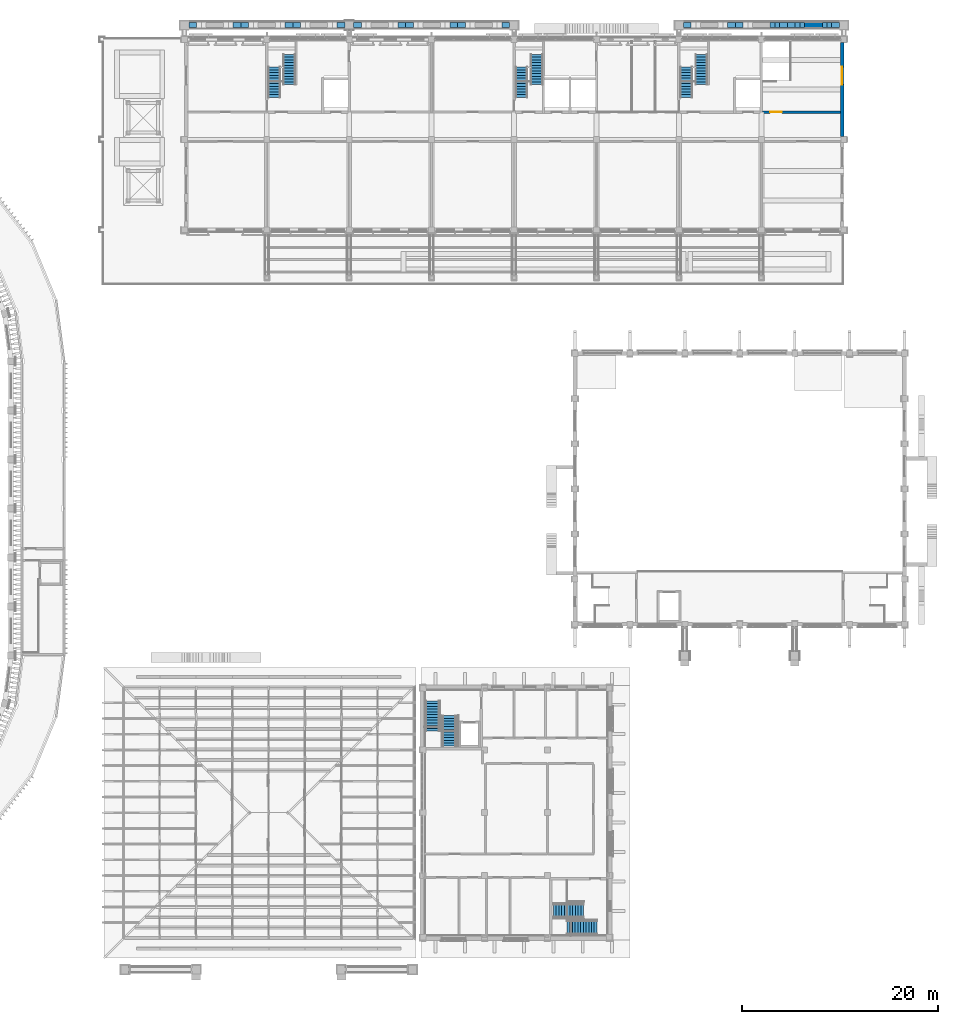
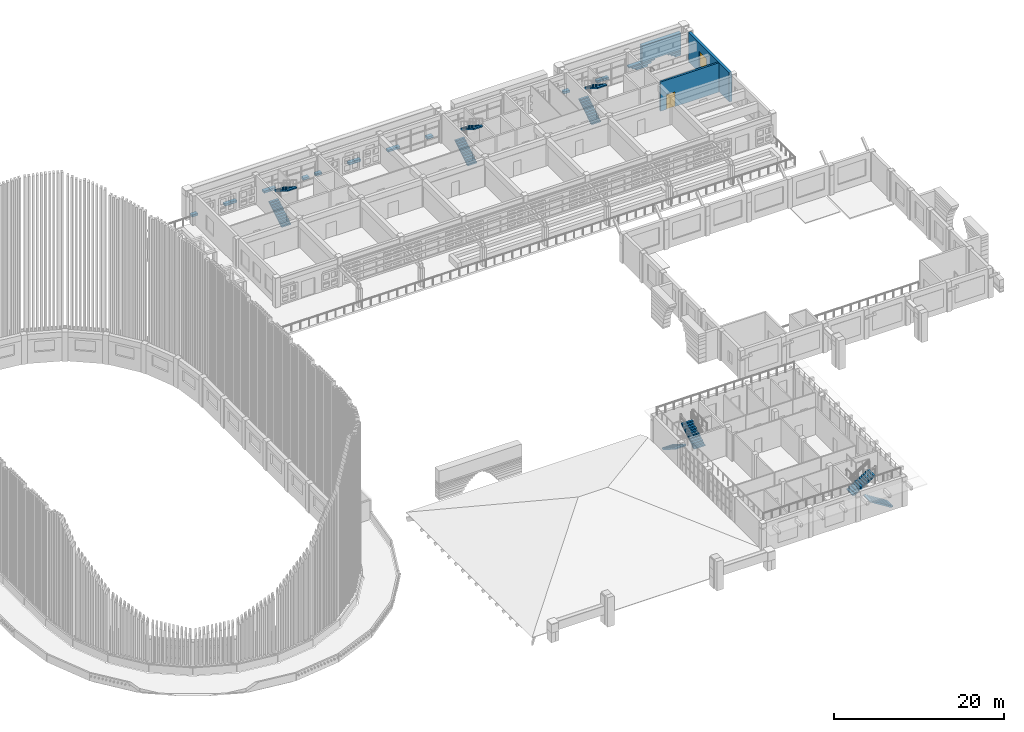
# One storey, part 33 of 68: 27 walls, 10 stair flights, 1 door, 1 window, 2 openings, 5 elements without a shape of their own.
"""IFC4 building model written with IfcOpenShell, lengths in metres."""

from ifc_helpers import new_model, si_unit, direction, frame, frame_2d, origin, place, context, subcontext, project, spatial, polyline, rectangle, outline, extrude, material, layer, layer_set, type_object, element, fill, aggregate, save


model = new_model("IFC4")

# Units and contexts
model_context = context("Model", 3, precision=1e-05, world=origin(), true_north=direction((0.0, 1.0)))
body_context = subcontext(model_context, "Body", "Model", "MODEL_VIEW")
ifc_project = project(units=[si_unit("LENGTHUNIT", "METRE"), si_unit("AREAUNIT", "SQUARE_METRE"), si_unit("VOLUMEUNIT", "CUBIC_METRE"), si_unit("PLANEANGLEUNIT", "RADIAN"), si_unit("MASSUNIT", "GRAM", prefix="KILO")], contexts=[model_context])

# Site, building, storey
site_placement = place(None, origin())
site = spatial("IfcSite", under=ifc_project, at=site_placement, CompositionType="ELEMENT")
building_placement = place(site_placement, origin())
building = spatial("IfcBuilding", under=site, at=building_placement, Name="Wasatch Bagh Community Centre", CompositionType="ELEMENT")
storey_placement = place(building_placement, frame((0.0, 0.0, 8.39990234375)))
storey = spatial("IfcBuildingStorey", under=building, at=storey_placement, Name="L02", CompositionType="ELEMENT", Elevation=8.39990234375)

# Wall, opening, door
ifc_material_1 = material(Name="Concrete C40", Category="concrete")
ifc_layer_1 = layer(ifc_material_1, 0.25)
ifc_layer_set_1 = layer_set([ifc_layer_1], Name="Concrete C40")
wall_type_1 = type_object("IfcWallType", Name="LW core wall 250", PredefinedType="SHEAR", material=ifc_layer_set_1)
wall_1_placement = place(storey_placement, frame((131.324951171875, 90.39990234375, 0.0), z_axis=(0.0, 0.0, 1.0), x_axis=(1.0, 0.0, 0.0)))
wall_1 = element("IfcWall", 1, at=wall_1_placement, inside=storey, type_object=wall_type_1, Name="LW.swall.L02.08", PredefinedType="SHEAR", context=body_context, shape_type="SweptSolid", body=[
    extrude(rectangle(XDim=7.925048828125, YDim=0.25, at=frame_2d((3.96240234375, 0.0))), origin(), (0.0, 0.0, 1.0), 4.2001953125),
])
opening_1_placement = place(wall_1_placement, frame((0.77490234375, 0.0, 0.0)))
opening_1 = element("IfcOpeningElement", 2, at=opening_1_placement, cuts=wall_1, Name="Opening 2L-35", PredefinedType="OPENING", context=body_context, shape_type="SweptSolid", body=[
    extrude(rectangle(XDim=1.199951171875, YDim=2.10009765625, at=frame_2d((0.60009765625, 1.050048828125))), frame((0.0, 0.135009765625, 0.0), z_axis=(0.0, -1.0, 0.0), x_axis=(1.0, 0.0, 0.0)), (0.0, 0.0, 1.0), 0.27001953125),
])
ifc_material_2 = material(Name="Painted timber", Category="wood")
door_type = type_object("IfcDoorType", Name="LW stair door 1200x2100", OperationType="SINGLE_SWING_LEFT", PredefinedType="DOOR", material=ifc_material_2)
door_placement = place(opening_1_placement, origin())
door = element("IfcDoor", 3, at=door_placement, inside=storey, type_object=door_type, Name="Stair door 2L-35", OperationType="SINGLE_SWING_LEFT", OverallHeight=2.10009765625, OverallWidth=1.199951171875, PredefinedType="DOOR", context=body_context, shape_type="SweptSolid", body=[
    extrude(rectangle(XDim=1.199951171875, YDim=2.10009765625, at=frame_2d((0.60009765625, 1.050048828125))), frame((0.0, 0.02490234375, 0.0), z_axis=(0.0, -1.0, 0.0), x_axis=(1.0, 0.0, 0.0)), (0.0, 0.0, 1.0), 0.050048828125),
])
fill(opening_1, door)

# Wall, opening, window
ifc_layer_2 = layer(ifc_material_1, 0.35009765625)
ifc_layer_set_2 = layer_set([ifc_layer_2], Name="Concrete C40")
wall_type_2 = type_object("IfcWallType", Name="LW end shear wall 350", PredefinedType="SHEAR", material=ifc_layer_set_2)
wall_2_placement = place(storey_placement, frame((139.425048828125, 97.5, 0.0), z_axis=(0.0, 0.0, 1.0), x_axis=(0.0, -1.0, 0.0)))
wall_2 = element("IfcWall", 4, at=wall_2_placement, inside=storey, type_object=wall_type_2, Name="LW.swall.L02.26", PredefinedType="SHEAR", context=body_context, shape_type="SweptSolid", body=[
    extrude(rectangle(XDim=9.60009765625, YDim=0.35009765625, at=frame_2d((4.800048828125, 0.0))), origin(), (0.0, 0.0, 1.0), 4.2001953125),
])
opening_2_placement = place(wall_2_placement, frame((2.5, 0.0, 0.89990234375)))
opening_2 = element("IfcOpeningElement", 5, at=opening_2_placement, cuts=wall_2, Name="Opening 2L-W033", PredefinedType="OPENING", context=body_context, shape_type="SweptSolid", body=[
    extrude(rectangle(XDim=1.800048828125, YDim=2.10009765625, at=frame_2d((0.89990234375, 1.050048828125))), frame((0.0, 0.18505859375, 0.0), z_axis=(0.0, -1.0, 0.0), x_axis=(1.0, 0.0, 0.0)), (0.0, 0.0, 1.0), 0.3701171875),
])
ifc_material_3 = material(Name="Aluminium framed double glazing", Category="aluminium")
window_type = type_object("IfcWindowType", Name="LW window 1800x2100", PartitioningType="SINGLE_PANEL", PredefinedType="WINDOW", material=ifc_material_3)
window_placement = place(opening_2_placement, origin())
window = element("IfcWindow", 6, at=window_placement, inside=storey, type_object=window_type, Name="Window 2L-W033", OverallHeight=2.10009765625, OverallWidth=1.800048828125, PartitioningType="SINGLE_PANEL", PredefinedType="WINDOW", context=body_context, shape_type="SweptSolid", body=[
    extrude(rectangle(XDim=1.800048828125, YDim=2.10009765625, at=frame_2d((0.89990234375, 1.050048828125))), frame((0.0, 0.030029296875, 0.0), z_axis=(0.0, -1.0, 0.0), x_axis=(1.0, 0.0, 0.0)), (0.0, 0.0, 1.0), 0.06005859375),
])
fill(opening_2, window)

# Walls
ifc_layer_3 = layer(ifc_material_1, 0.5)
ifc_layer_set_3 = layer_set([ifc_layer_3], Name="Concrete C40")
wall_type_3 = type_object("IfcWallType", Name="LW-W6", PredefinedType="STANDARD", material=ifc_layer_set_3)
for number, where, z_axis, x_axis, name in (
    (7, (72.85009765625, 99.25, 0.0), (0.0, 0.0, 1.0), (1.0, 0.0, 0.0), "LW-W6 arcade arch spandrel"),
    (8, (78.14990234375, 99.25, 0.0), (0.0, 0.0, 1.0), (-1.0, 0.0, 0.0), "LW-W6 arcade arch spandrel"),
):
    element("IfcWall", number, at=place(storey_placement, frame(where, z_axis=z_axis, x_axis=x_axis)), inside=storey, type_object=wall_type_3, Name=name, PredefinedType="STANDARD", context=body_context, shape_type="SweptSolid", body=[
        extrude(rectangle(XDim=0.802490234375, YDim=0.5, at=frame_2d((0.4013671875, 0.0))), origin(), (0.0, 0.0, 1.0), 0.300048828125),
    ])
for number, where, z_axis, x_axis, name in (
    (9, (78.14990234375, 99.25, 0.0), (0.0, 0.0, 1.0), (1.0, 0.0, 0.0), "LW-W6 arcade arch spandrel"),
    (10, (83.449951171875, 99.25, 0.0), (0.0, 0.0, 1.0), (-1.0, 0.0, 0.0), "LW-W6 arcade arch spandrel"),
    (11, (83.449951171875, 99.25, 0.0), (0.0, 0.0, 1.0), (1.0, 0.0, 0.0), "LW-W6 arcade arch spandrel"),
    (12, (88.75, 99.25, 0.0), (0.0, 0.0, 1.0), (-1.0, 0.0, 0.0), "LW-W6 arcade arch spandrel"),
    (13, (89.64990234375, 99.25, 0.0), (0.0, 0.0, 1.0), (1.0, 0.0, 0.0), "LW-W6 arcade arch spandrel"),
    (14, (94.949951171875, 99.25, 0.0), (0.0, 0.0, 1.0), (-1.0, 0.0, 0.0), "LW-W6 arcade arch spandrel"),
    (15, (94.949951171875, 99.25, 0.0), (0.0, 0.0, 1.0), (1.0, 0.0, 0.0), "LW-W6 arcade arch spandrel"),
    (16, (100.25, 99.25, 0.0), (0.0, 0.0, 1.0), (-1.0, 0.0, 0.0), "LW-W6 arcade arch spandrel"),
    (17, (100.25, 99.25, 0.0), (0.0, 0.0, 1.0), (1.0, 0.0, 0.0), "LW-W6 arcade arch spandrel"),
    (18, (105.550048828125, 99.25, 0.0), (0.0, 0.0, 1.0), (-1.0, 0.0, 0.0), "LW-W6 arcade arch spandrel"),
    (19, (123.25, 99.25, 0.0), (0.0, 0.0, 1.0), (1.0, 0.0, 0.0), "LW-W6 arcade arch spandrel"),
    (20, (128.550048828125, 99.25, 0.0), (0.0, 0.0, 1.0), (-1.0, 0.0, 0.0), "LW-W6 arcade arch spandrel"),
    (21, (128.550048828125, 99.25, 0.0), (0.0, 0.0, 1.0), (1.0, 0.0, 0.0), "LW-W6 arcade arch spandrel"),
    (22, (133.85009765625, 99.25, 0.0), (0.0, 0.0, 1.0), (-1.0, 0.0, 0.0), "LW-W6 arcade arch spandrel"),
):
    element("IfcWall", number, at=place(storey_placement, frame(where, z_axis=z_axis, x_axis=x_axis)), inside=storey, type_object=wall_type_3, Name=name, PredefinedType="STANDARD", context=body_context, shape_type="SweptSolid", body=[
        extrude(rectangle(XDim=0.802734375, YDim=0.5, at=frame_2d((0.4013671875, 0.0))), origin(), (0.0, 0.0, 1.0), 0.300048828125),
    ])
wall_3_placement = place(storey_placement, frame((133.85009765625, 99.25, 0.300048828125), z_axis=(0.0, 0.0, 1.0), x_axis=(-1.0, 0.0, 0.0)))
element("IfcWall", 23, at=wall_3_placement, inside=storey, type_object=wall_type_3, Name="LW-W6 arcade arch spandrel", PredefinedType="STANDARD", context=body_context, shape_type="SweptSolid", body=[
    extrude(rectangle(XDim=1.271728515625, YDim=0.5, at=frame_2d((0.6357421875, 0.0))), origin(), (0.0, 0.0, 1.0), 0.300048828125),
])
wall_4_placement = place(storey_placement, frame((133.85009765625, 99.25, 0.60009765625), z_axis=(0.0, 0.0, 1.0), x_axis=(-1.0, 0.0, 0.0)))
element("IfcWall", 24, at=wall_4_placement, inside=storey, type_object=wall_type_3, Name="LW-W6 arcade arch spandrel", PredefinedType="STANDARD", context=body_context, shape_type="SweptSolid", body=[
    extrude(rectangle(XDim=1.74462890625, YDim=0.5, at=frame_2d((0.872314453125, 0.0))), origin(), (0.0, 0.0, 1.0), 0.199951171875),
])
for number, where, z_axis, x_axis, name in (
    (25, (133.85009765625, 99.25, 0.0), (0.0, 0.0, 1.0), (1.0, 0.0, 0.0), "LW-W6 arcade arch spandrel"),
    (26, (139.14990234375, 99.25, 0.0), (0.0, 0.0, 1.0), (-1.0, 0.0, 0.0), "LW-W6 arcade arch spandrel"),
):
    element("IfcWall", number, at=place(storey_placement, frame(where, z_axis=z_axis, x_axis=x_axis)), inside=storey, type_object=wall_type_3, Name=name, PredefinedType="STANDARD", context=body_context, shape_type="SweptSolid", body=[
        extrude(rectangle(XDim=0.802490234375, YDim=0.5, at=frame_2d((0.4013671875, 0.0))), origin(), (0.0, 0.0, 1.0), 0.300048828125),
    ])
for number, where, z_axis, x_axis, name in (
    (27, (133.85009765625, 99.25, 0.300048828125), (0.0, 0.0, 1.0), (1.0, 0.0, 0.0), "LW-W6 arcade arch spandrel"),
    (28, (139.14990234375, 99.25, 0.300048828125), (0.0, 0.0, 1.0), (-1.0, 0.0, 0.0), "LW-W6 arcade arch spandrel"),
):
    element("IfcWall", number, at=place(storey_placement, frame(where, z_axis=z_axis, x_axis=x_axis)), inside=storey, type_object=wall_type_3, Name=name, PredefinedType="STANDARD", context=body_context, shape_type="SweptSolid", body=[
        extrude(rectangle(XDim=1.271484375, YDim=0.5, at=frame_2d((0.6357421875, 0.0))), origin(), (0.0, 0.0, 1.0), 0.300048828125),
    ])
for number, where, z_axis, x_axis, name in (
    (29, (133.85009765625, 99.25, 0.60009765625), (0.0, 0.0, 1.0), (1.0, 0.0, 0.0), "LW-W6 arcade arch spandrel"),
    (30, (139.14990234375, 99.25, 0.60009765625), (0.0, 0.0, 1.0), (-1.0, 0.0, 0.0), "LW-W6 arcade arch spandrel"),
):
    element("IfcWall", number, at=place(storey_placement, frame(where, z_axis=z_axis, x_axis=x_axis)), inside=storey, type_object=wall_type_3, Name=name, PredefinedType="STANDARD", context=body_context, shape_type="SweptSolid", body=[
        extrude(rectangle(XDim=1.744384765625, YDim=0.5, at=frame_2d((0.8720703125, 0.0))), origin(), (0.0, 0.0, 1.0), 0.199951171875),
    ])
wall_5_placement = place(storey_placement, frame((133.85009765625, 99.25, 0.800048828125), z_axis=(0.0, 0.0, 1.0), x_axis=(1.0, 0.0, 0.0)))
element("IfcWall", 31, at=wall_5_placement, inside=storey, type_object=wall_type_3, Name="LW-W6 arcade arch band", PredefinedType="STANDARD", context=body_context, shape_type="SweptSolid", body=[
    extrude(rectangle(XDim=5.2998046875, YDim=0.5, at=frame_2d((2.64990234375, 0.0))), origin(), (0.0, 0.0, 1.0), 2.400146484375),
])

# Stair, stair flights
ifc_material_4 = material(Name="Concrete C35", Category="concrete")
stair_type_1 = type_object("IfcStairType", Name="KW stair 1500", PredefinedType="HALF_TURN_STAIR", material=ifc_material_4)
stair_1_placement = place(storey_placement, origin())
stair_1 = element("IfcStair", 32, at=stair_1_placement, inside=storey, type_object=stair_type_1, Name="ST4 stair", PredefinedType="HALF_TURN_STAIR")
stair_flight_type_1 = type_object("IfcStairFlightType", Name="KW flight 1500", PredefinedType="STRAIGHT", material=ifc_material_4)
stair_flight_1_placement = place(storey_placement, frame((97.699951171875, 30.39990234375, 0.0), z_axis=(0.0, 0.0, 1.0), x_axis=(0.0, -1.0, 0.0)))
stair_flight_1 = element("IfcStairFlight", 33, at=stair_flight_1_placement, type_object=stair_flight_type_1, Name="ST4 flight 1", NumberOfRisers=12, NumberOfTreads=11, PredefinedType="STRAIGHT", RiserHeight=0.175, TreadLength=0.28, context=body_context, shape_type="SweptSolid", body=[
    extrude(outline(polyline([(0.0, 0.0), (0.0, 0.175048828125), (0.280029296875, 0.175048828125), (0.280029296875, 0.35009765625), (0.56005859375, 0.35009765625), (0.56005859375, 0.52490234375), (0.840087890625, 0.52490234375), (0.840087890625, 0.699951171875), (1.1201171875, 0.699951171875), (1.1201171875, 0.875), (1.39990234375, 0.875), (1.39990234375, 1.050048828125), (1.679931640625, 1.050048828125), (1.679931640625, 1.22509765625), (1.9599609375, 1.22509765625), (1.9599609375, 1.39990234375), (2.239990234375, 1.39990234375), (2.239990234375, 1.574951171875), (2.52001953125, 1.574951171875), (2.52001953125, 1.75), (2.800048828125, 1.75), (2.800048828125, 1.925048828125), (3.080078125, 1.925048828125), (3.080078125, 2.10009765625), (3.080078125, 1.748291015625), (0.28271484375, 0.0), (0.0, 0.0)])), frame((0.0, 0.75, 0.0), z_axis=(0.0, -1.0, 0.0), x_axis=(1.0, 0.0, 0.0)), (0.0, 0.0, 1.0), 1.5),
])
stair_flight_2_placement = place(storey_placement, frame((99.39990234375, 25.800048828125, 2.10009765625), z_axis=(0.0, 0.0, 1.0), x_axis=(0.0, 1.0, 0.0)))
stair_flight_2 = element("IfcStairFlight", 34, at=stair_flight_2_placement, type_object=stair_flight_type_1, Name="ST4 flight 2", NumberOfRisers=12, NumberOfTreads=11, PredefinedType="STRAIGHT", RiserHeight=0.175, TreadLength=0.28, context=body_context, shape_type="SweptSolid", body=[
    extrude(outline(polyline([(0.0, 0.0), (0.0, 0.175048828125), (0.280029296875, 0.175048828125), (0.280029296875, 0.35009765625), (0.56005859375, 0.35009765625), (0.56005859375, 0.52490234375), (0.840087890625, 0.52490234375), (0.840087890625, 0.699951171875), (1.1201171875, 0.699951171875), (1.1201171875, 0.875), (1.39990234375, 0.875), (1.39990234375, 1.050048828125), (1.679931640625, 1.050048828125), (1.679931640625, 1.22509765625), (1.9599609375, 1.22509765625), (1.9599609375, 1.39990234375), (2.239990234375, 1.39990234375), (2.239990234375, 1.574951171875), (2.52001953125, 1.574951171875), (2.52001953125, 1.75), (2.800048828125, 1.75), (2.800048828125, 1.925048828125), (3.080078125, 1.925048828125), (3.080078125, 2.10009765625), (3.080078125, 1.748291015625), (0.28271484375, 0.0), (0.0, 0.0)])), frame((0.0, 0.75, 0.0), z_axis=(0.0, -1.0, 0.0), x_axis=(1.0, 0.0, 0.0)), (0.0, 0.0, 1.0), 1.5),
])
aggregate(stair_1, [stair_flight_1, stair_flight_2])

stair_2_placement = place(storey_placement, origin())
stair_2 = element("IfcStair", 35, at=stair_2_placement, inside=storey, type_object=stair_type_1, Name="ST5 stair", PredefinedType="HALF_TURN_STAIR")
stair_flight_3_placement = place(storey_placement, frame((114.449951171875, 7.300048828125, 0.0), z_axis=(0.0, 0.0, 1.0), x_axis=(-1.0, 0.0, 0.0)))
stair_flight_3 = element("IfcStairFlight", 36, at=stair_flight_3_placement, type_object=stair_flight_type_1, Name="ST5 flight 1", NumberOfRisers=12, NumberOfTreads=11, PredefinedType="STRAIGHT", RiserHeight=0.175, TreadLength=0.28, context=body_context, shape_type="SweptSolid", body=[
    extrude(outline(polyline([(0.0, 0.0), (0.0, 0.175048828125), (0.280029296875, 0.175048828125), (0.280029296875, 0.35009765625), (0.56005859375, 0.35009765625), (0.56005859375, 0.52490234375), (0.840087890625, 0.52490234375), (0.840087890625, 0.699951171875), (1.1201171875, 0.699951171875), (1.1201171875, 0.875), (1.39990234375, 0.875), (1.39990234375, 1.050048828125), (1.679931640625, 1.050048828125), (1.679931640625, 1.22509765625), (1.9599609375, 1.22509765625), (1.9599609375, 1.39990234375), (2.239990234375, 1.39990234375), (2.239990234375, 1.574951171875), (2.52001953125, 1.574951171875), (2.52001953125, 1.75), (2.800048828125, 1.75), (2.800048828125, 1.925048828125), (3.080078125, 1.925048828125), (3.080078125, 2.10009765625), (3.080078125, 1.748291015625), (0.28271484375, 0.0), (0.0, 0.0)])), frame((0.0, 0.75, 0.0), z_axis=(0.0, -1.0, 0.0), x_axis=(1.0, 0.0, 0.0)), (0.0, 0.0, 1.0), 1.5),
])
stair_flight_4_placement = place(storey_placement, frame((110.0, 9.0, 2.10009765625), z_axis=(0.0, 0.0, 1.0), x_axis=(1.0, 0.0, 0.0)))
stair_flight_4 = element("IfcStairFlight", 37, at=stair_flight_4_placement, type_object=stair_flight_type_1, Name="ST5 flight 2", NumberOfRisers=12, NumberOfTreads=11, PredefinedType="STRAIGHT", RiserHeight=0.175, TreadLength=0.28, context=body_context, shape_type="SweptSolid", body=[
    extrude(outline(polyline([(0.0, 0.0), (0.0, 0.175048828125), (0.280029296875, 0.175048828125), (0.280029296875, 0.35009765625), (0.56005859375, 0.35009765625), (0.56005859375, 0.52490234375), (0.840087890625, 0.52490234375), (0.840087890625, 0.699951171875), (1.1201171875, 0.699951171875), (1.1201171875, 0.875), (1.39990234375, 0.875), (1.39990234375, 1.050048828125), (1.679931640625, 1.050048828125), (1.679931640625, 1.22509765625), (1.9599609375, 1.22509765625), (1.9599609375, 1.39990234375), (2.239990234375, 1.39990234375), (2.239990234375, 1.574951171875), (2.52001953125, 1.574951171875), (2.52001953125, 1.75), (2.800048828125, 1.75), (2.800048828125, 1.925048828125), (3.080078125, 1.925048828125), (3.080078125, 2.10009765625), (3.080078125, 1.748291015625), (0.28271484375, 0.0), (0.0, 0.0)])), frame((0.0, 0.75, 0.0), z_axis=(0.0, -1.0, 0.0), x_axis=(1.0, 0.0, 0.0)), (0.0, 0.0, 1.0), 1.5),
])
aggregate(stair_2, [stair_flight_3, stair_flight_4])

stair_type_2 = type_object("IfcStairType", Name="LW core stair", PredefinedType="HALF_TURN_STAIR", material=ifc_material_4)
stair_3_placement = place(storey_placement, origin())
stair_3 = element("IfcStair", 38, at=stair_3_placement, inside=storey, type_object=stair_type_2, Name="Stair Stair and Lift C1", PredefinedType="HALF_TURN_STAIR")
stair_flight_type_2 = type_object("IfcStairFlightType", Name="LW stair flight 1260", PredefinedType="STRAIGHT", material=ifc_material_4)
stair_flight_5_placement = place(storey_placement, frame((81.554931640625, 91.89990234375, 0.0), z_axis=(0.0, 0.0, 1.0), x_axis=(0.0, 1.0, 0.0)))
stair_flight_5 = element("IfcStairFlight", 39, at=stair_flight_5_placement, type_object=stair_flight_type_2, Name="ST-C1-2 flight 1", NumberOfRisers=12, NumberOfTreads=11, PredefinedType="STRAIGHT", RiserHeight=0.175, TreadLength=0.28, context=body_context, shape_type="SweptSolid", body=[
    extrude(outline(polyline([(0.0, 0.0), (0.0, 0.175048828125), (0.280029296875, 0.175048828125), (0.280029296875, 0.35009765625), (0.56005859375, 0.35009765625), (0.56005859375, 0.52490234375), (0.840087890625, 0.52490234375), (0.840087890625, 0.699951171875), (1.1201171875, 0.699951171875), (1.1201171875, 0.875), (1.39990234375, 0.875), (1.39990234375, 1.050048828125), (1.679931640625, 1.050048828125), (1.679931640625, 1.22509765625), (1.9599609375, 1.22509765625), (1.9599609375, 1.39990234375), (2.239990234375, 1.39990234375), (2.239990234375, 1.574951171875), (2.52001953125, 1.574951171875), (2.52001953125, 1.75), (2.800048828125, 1.75), (2.800048828125, 1.925048828125), (3.080078125, 1.925048828125), (3.080078125, 2.10009765625), (3.080078125, 1.748291015625), (0.28271484375, 0.0), (0.0, 0.0)])), frame((0.0, 0.6298828125, 0.0), z_axis=(0.0, -1.0, 0.0), x_axis=(1.0, 0.0, 0.0)), (0.0, 0.0, 1.0), 1.260009765625),
])
stair_flight_6_placement = place(storey_placement, frame((83.094970703125, 96.280029296875, 2.10009765625), z_axis=(0.0, 0.0, 1.0), x_axis=(0.0, -1.0, 0.0)))
stair_flight_6 = element("IfcStairFlight", 40, at=stair_flight_6_placement, type_object=stair_flight_type_2, Name="ST-C1-2 flight 2", NumberOfRisers=12, NumberOfTreads=11, PredefinedType="STRAIGHT", RiserHeight=0.175, TreadLength=0.28, context=body_context, shape_type="SweptSolid", body=[
    extrude(outline(polyline([(0.0, 0.0), (0.0, 0.175048828125), (0.280029296875, 0.175048828125), (0.280029296875, 0.35009765625), (0.56005859375, 0.35009765625), (0.56005859375, 0.52490234375), (0.840087890625, 0.52490234375), (0.840087890625, 0.699951171875), (1.1201171875, 0.699951171875), (1.1201171875, 0.875), (1.39990234375, 0.875), (1.39990234375, 1.050048828125), (1.679931640625, 1.050048828125), (1.679931640625, 1.22509765625), (1.9599609375, 1.22509765625), (1.9599609375, 1.39990234375), (2.239990234375, 1.39990234375), (2.239990234375, 1.574951171875), (2.52001953125, 1.574951171875), (2.52001953125, 1.75), (2.800048828125, 1.75), (2.800048828125, 1.925048828125), (3.080078125, 1.925048828125), (3.080078125, 2.10009765625), (3.080078125, 1.748291015625), (0.28271484375, 0.0), (0.0, 0.0)])), frame((0.0, 0.6298828125, 0.0), z_axis=(0.0, -1.0, 0.0), x_axis=(1.0, 0.0, 0.0)), (0.0, 0.0, 1.0), 1.260009765625),
])
aggregate(stair_3, [stair_flight_5, stair_flight_6])

stair_4_placement = place(storey_placement, origin())
stair_4 = element("IfcStair", 41, at=stair_4_placement, inside=storey, type_object=stair_type_2, Name="Stair Stair and Lift C2", PredefinedType="HALF_TURN_STAIR")
stair_flight_7_placement = place(storey_placement, frame((106.7548828125, 91.89990234375, 0.0), z_axis=(0.0, 0.0, 1.0), x_axis=(0.0, 1.0, 0.0)))
stair_flight_7 = element("IfcStairFlight", 42, at=stair_flight_7_placement, type_object=stair_flight_type_2, Name="ST-C2-2 flight 1", NumberOfRisers=12, NumberOfTreads=11, PredefinedType="STRAIGHT", RiserHeight=0.175, TreadLength=0.28, context=body_context, shape_type="SweptSolid", body=[
    extrude(outline(polyline([(0.0, 0.0), (0.0, 0.175048828125), (0.280029296875, 0.175048828125), (0.280029296875, 0.35009765625), (0.56005859375, 0.35009765625), (0.56005859375, 0.52490234375), (0.840087890625, 0.52490234375), (0.840087890625, 0.699951171875), (1.1201171875, 0.699951171875), (1.1201171875, 0.875), (1.39990234375, 0.875), (1.39990234375, 1.050048828125), (1.679931640625, 1.050048828125), (1.679931640625, 1.22509765625), (1.9599609375, 1.22509765625), (1.9599609375, 1.39990234375), (2.239990234375, 1.39990234375), (2.239990234375, 1.574951171875), (2.52001953125, 1.574951171875), (2.52001953125, 1.75), (2.800048828125, 1.75), (2.800048828125, 1.925048828125), (3.080078125, 1.925048828125), (3.080078125, 2.10009765625), (3.080078125, 1.748291015625), (0.28271484375, 0.0), (0.0, 0.0)])), frame((0.0, 0.6298828125, 0.0), z_axis=(0.0, -1.0, 0.0), x_axis=(1.0, 0.0, 0.0)), (0.0, 0.0, 1.0), 1.260009765625),
])
stair_flight_8_placement = place(storey_placement, frame((108.294921875, 96.280029296875, 2.10009765625), z_axis=(0.0, 0.0, 1.0), x_axis=(0.0, -1.0, 0.0)))
stair_flight_8 = element("IfcStairFlight", 43, at=stair_flight_8_placement, type_object=stair_flight_type_2, Name="ST-C2-2 flight 2", NumberOfRisers=12, NumberOfTreads=11, PredefinedType="STRAIGHT", RiserHeight=0.175, TreadLength=0.28, context=body_context, shape_type="SweptSolid", body=[
    extrude(outline(polyline([(0.0, 0.0), (0.0, 0.175048828125), (0.280029296875, 0.175048828125), (0.280029296875, 0.35009765625), (0.56005859375, 0.35009765625), (0.56005859375, 0.52490234375), (0.840087890625, 0.52490234375), (0.840087890625, 0.699951171875), (1.1201171875, 0.699951171875), (1.1201171875, 0.875), (1.39990234375, 0.875), (1.39990234375, 1.050048828125), (1.679931640625, 1.050048828125), (1.679931640625, 1.22509765625), (1.9599609375, 1.22509765625), (1.9599609375, 1.39990234375), (2.239990234375, 1.39990234375), (2.239990234375, 1.574951171875), (2.52001953125, 1.574951171875), (2.52001953125, 1.75), (2.800048828125, 1.75), (2.800048828125, 1.925048828125), (3.080078125, 1.925048828125), (3.080078125, 2.10009765625), (3.080078125, 1.748291015625), (0.28271484375, 0.0), (0.0, 0.0)])), frame((0.0, 0.6298828125, 0.0), z_axis=(0.0, -1.0, 0.0), x_axis=(1.0, 0.0, 0.0)), (0.0, 0.0, 1.0), 1.260009765625),
])
aggregate(stair_4, [stair_flight_7, stair_flight_8])

stair_5_placement = place(storey_placement, origin())
stair_5 = element("IfcStair", 44, at=stair_5_placement, inside=storey, type_object=stair_type_2, Name="Stair Stair and Lift C3", PredefinedType="HALF_TURN_STAIR")
stair_flight_9_placement = place(storey_placement, frame((123.554931640625, 91.89990234375, 0.0), z_axis=(0.0, 0.0, 1.0), x_axis=(0.0, 1.0, 0.0)))
stair_flight_9 = element("IfcStairFlight", 45, at=stair_flight_9_placement, type_object=stair_flight_type_2, Name="ST-C3-2 flight 1", NumberOfRisers=12, NumberOfTreads=11, PredefinedType="STRAIGHT", RiserHeight=0.175, TreadLength=0.28, context=body_context, shape_type="SweptSolid", body=[
    extrude(outline(polyline([(0.0, 0.0), (0.0, 0.175048828125), (0.280029296875, 0.175048828125), (0.280029296875, 0.35009765625), (0.56005859375, 0.35009765625), (0.56005859375, 0.52490234375), (0.840087890625, 0.52490234375), (0.840087890625, 0.699951171875), (1.1201171875, 0.699951171875), (1.1201171875, 0.875), (1.39990234375, 0.875), (1.39990234375, 1.050048828125), (1.679931640625, 1.050048828125), (1.679931640625, 1.22509765625), (1.9599609375, 1.22509765625), (1.9599609375, 1.39990234375), (2.239990234375, 1.39990234375), (2.239990234375, 1.574951171875), (2.52001953125, 1.574951171875), (2.52001953125, 1.75), (2.800048828125, 1.75), (2.800048828125, 1.925048828125), (3.080078125, 1.925048828125), (3.080078125, 2.10009765625), (3.080078125, 1.748291015625), (0.28271484375, 0.0), (0.0, 0.0)])), frame((0.0, 0.6298828125, 0.0), z_axis=(0.0, -1.0, 0.0), x_axis=(1.0, 0.0, 0.0)), (0.0, 0.0, 1.0), 1.260009765625),
])
stair_flight_10_placement = place(storey_placement, frame((125.094970703125, 96.280029296875, 2.10009765625), z_axis=(0.0, 0.0, 1.0), x_axis=(0.0, -1.0, 0.0)))
stair_flight_10 = element("IfcStairFlight", 46, at=stair_flight_10_placement, type_object=stair_flight_type_2, Name="ST-C3-2 flight 2", NumberOfRisers=12, NumberOfTreads=11, PredefinedType="STRAIGHT", RiserHeight=0.175, TreadLength=0.28, context=body_context, shape_type="SweptSolid", body=[
    extrude(outline(polyline([(0.0, 0.0), (0.0, 0.175048828125), (0.280029296875, 0.175048828125), (0.280029296875, 0.35009765625), (0.56005859375, 0.35009765625), (0.56005859375, 0.52490234375), (0.840087890625, 0.52490234375), (0.840087890625, 0.699951171875), (1.1201171875, 0.699951171875), (1.1201171875, 0.875), (1.39990234375, 0.875), (1.39990234375, 1.050048828125), (1.679931640625, 1.050048828125), (1.679931640625, 1.22509765625), (1.9599609375, 1.22509765625), (1.9599609375, 1.39990234375), (2.239990234375, 1.39990234375), (2.239990234375, 1.574951171875), (2.52001953125, 1.574951171875), (2.52001953125, 1.75), (2.800048828125, 1.75), (2.800048828125, 1.925048828125), (3.080078125, 1.925048828125), (3.080078125, 2.10009765625), (3.080078125, 1.748291015625), (0.28271484375, 0.0), (0.0, 0.0)])), frame((0.0, 0.6298828125, 0.0), z_axis=(0.0, -1.0, 0.0), x_axis=(1.0, 0.0, 0.0)), (0.0, 0.0, 1.0), 1.260009765625),
])
aggregate(stair_5, [stair_flight_9, stair_flight_10])

save(model, "model.ifc")
